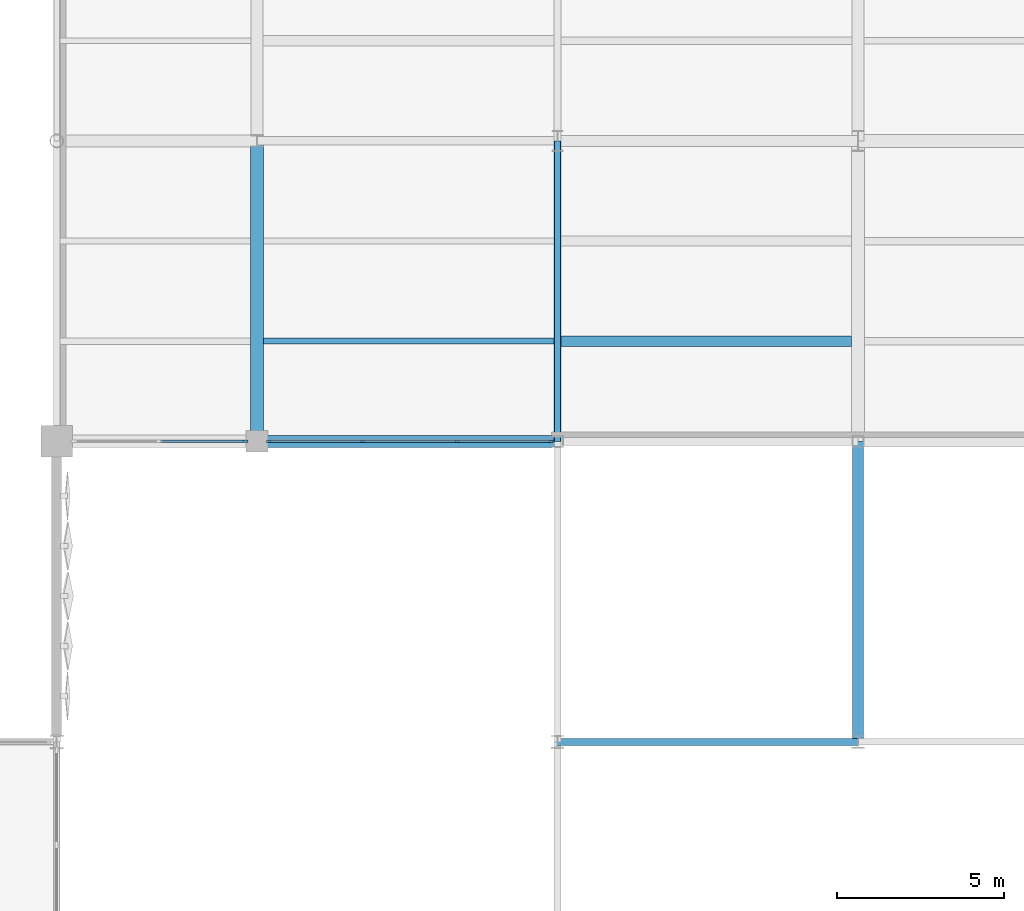
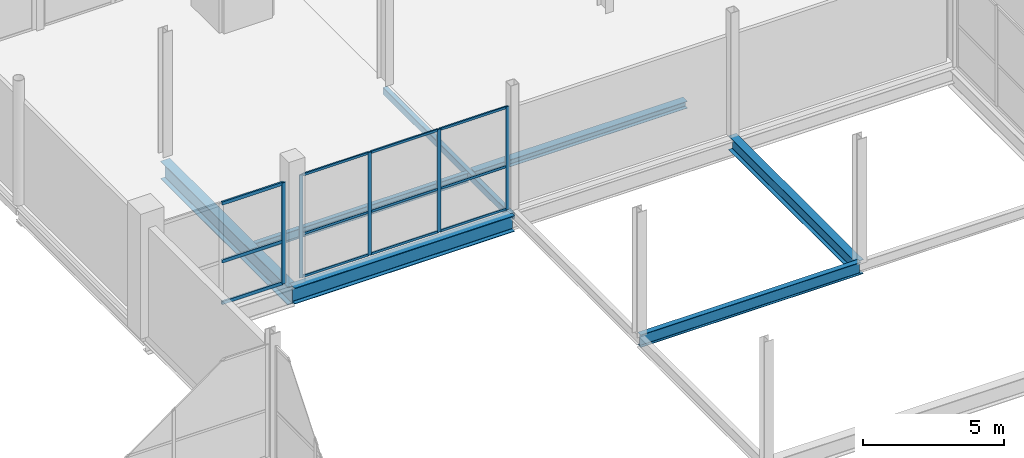
# One storey, part 42 of 119: 17 members, 7 beams, 2 elements without a shape of their own.
"""IFC4 building model written with IfcOpenShell, lengths in metres."""

from ifc_helpers import new_model, si_unit, direction, frame, origin, origin_2d, place, context, subcontext, project, spatial, rectangle, hollow_rectangle, i_section, extrude, material, layer, layer_set, material_profile, profile_set, type_object, element, aggregate, save


model = new_model("IFC4")

# Units and contexts
model_context = context("Model", 3, precision=1e-05, world=origin(), true_north=direction((0.0, 1.0)))
body_context = subcontext(model_context, "Body", "Model", "MODEL_VIEW")
ifc_project = project(units=[si_unit("LENGTHUNIT", "METRE"), si_unit("AREAUNIT", "SQUARE_METRE"), si_unit("VOLUMEUNIT", "CUBIC_METRE"), si_unit("PLANEANGLEUNIT", "RADIAN"), si_unit("MASSUNIT", "GRAM", prefix="KILO")], contexts=[model_context])

# Site, building, storey
site_placement = place(None, origin())
site = spatial("IfcSite", under=ifc_project, at=site_placement, CompositionType="ELEMENT")
building_placement = place(site_placement, origin())
building = spatial("IfcBuilding", under=site, at=building_placement, Name="Qamarlyn Nura Convention Centre", CompositionType="ELEMENT")
storey_placement = place(building_placement, frame((0.0, 0.0, 5.39990234375)))
storey = spatial("IfcBuildingStorey", under=building, at=storey_placement, Name="L01", CompositionType="ELEMENT", Elevation=5.39990234375)

# Beams
ifc_material_1 = material(Name="Steel ASTM A992", Category="steel")
ifc_material_profile_1 = material_profile(ifc_material_1, i_section(OverallWidth=0.323974609375, OverallDepth=0.611083984375, WebThickness=0.0126953125, FlangeThickness=0.01904296875, FilletRadius=0.01611328125, at=origin_2d()), Name="W610X155")
ifc_profile_set_1 = profile_set([ifc_material_profile_1], Name="Steel ASTM A992")
beam_type_1 = type_object("IfcBeamType", Name="BM-GIRD-610", PredefinedType="BEAM", material=ifc_profile_set_1)
beam_1_placement = place(storey_placement, frame((144.0, 18.0, -0.305419921875), z_axis=(0.0, 1.0, 0.0), x_axis=(-1.0, 0.0, 0.0)))
element("IfcBeam", 1, at=beam_1_placement, inside=storey, type_object=beam_type_1, Name="L01 girder 12 C-D", PredefinedType="BEAM", context=body_context, shape_type="SweptSolid", body=[
    extrude(i_section(OverallWidth=0.323974609375, OverallDepth=0.611083984375, WebThickness=0.0126953125, FlangeThickness=0.01904296875, FilletRadius=0.01611328125, at=origin_2d()), origin(), (0.0, 0.0, 1.0), 9.0),
])
ifc_material_profile_2 = material_profile(ifc_material_1, i_section(OverallWidth=0.35498046875, OverallDepth=0.695068359375, WebThickness=0.015380859375, FlangeThickness=0.02490234375, FilletRadius=0.01806640625, at=origin_2d()), Name="W690X217")
ifc_profile_set_2 = profile_set([ifc_material_profile_2], Name="Steel ASTM A992")
beam_type_2 = type_object("IfcBeamType", Name="BM-GIRD-690A", PredefinedType="BEAM", material=ifc_profile_set_2)
beam_2_placement = place(storey_placement, frame((126.0, 27.0, -0.58740234375), z_axis=(1.0, 0.0, 0.0), x_axis=(0.0, 1.0, 0.0)))
element("IfcBeam", 2, at=beam_2_placement, inside=storey, type_object=beam_type_2, Name="L01 girder D 10-11", PredefinedType="BEAM", context=body_context, shape_type="SweptSolid", body=[
    extrude(i_section(OverallWidth=0.35498046875, OverallDepth=0.695068359375, WebThickness=0.015380859375, FlangeThickness=0.02490234375, FilletRadius=0.01806640625, at=origin_2d()), origin(), (0.0, 0.0, 1.0), 9.0),
])
ifc_material_profile_3 = material_profile(ifc_material_1, i_section(OverallWidth=0.381103515625, OverallDepth=0.77294921875, WebThickness=0.0166015625, FlangeThickness=0.027587890625, FilletRadius=0.02001953125, at=origin_2d()), Name="W760X257")
ifc_profile_set_3 = profile_set([ifc_material_profile_3], Name="Steel ASTM A992")
beam_type_3 = type_object("IfcBeamType", Name="BM-GIRD-760", PredefinedType="BEAM", material=ifc_profile_set_3)
beam_3_placement = place(storey_placement, frame((126.0, 27.0, -0.62646484375), z_axis=(0.0, 1.0, 0.0), x_axis=(-1.0, 0.0, 0.0)))
element("IfcBeam", 3, at=beam_3_placement, inside=storey, type_object=beam_type_3, Name="L01 girder 10 D-E", PredefinedType="BEAM", context=body_context, shape_type="SweptSolid", body=[
    extrude(i_section(OverallWidth=0.381103515625, OverallDepth=0.77294921875, WebThickness=0.0166015625, FlangeThickness=0.027587890625, FilletRadius=0.02001953125, at=origin_2d()), origin(), (0.0, 0.0, 1.0), 9.0),
])
ifc_material_profile_4 = material_profile(ifc_material_1, i_section(OverallWidth=0.304931640625, OverallDepth=0.30810546875, WebThickness=0.010009765625, FlangeThickness=0.015380859375, FilletRadius=0.014892578125, at=origin_2d()), Name="W310X97")
ifc_profile_set_4 = profile_set([ifc_material_profile_4], Name="Steel ASTM A992")
beam_type_4 = type_object("IfcBeamType", Name="BM-JOIST-310", PredefinedType="JOIST", material=ifc_profile_set_4)
beam_4_placement = place(storey_placement, frame((135.10009765625, 30.0, -0.3740234375), z_axis=(1.0, 0.0, 0.0), x_axis=(0.0, 1.0, 0.0)))
element("IfcBeam", 4, at=beam_4_placement, inside=storey, type_object=beam_type_4, Name="L01 composite joist 11-12/D+1", PredefinedType="JOIST", context=body_context, shape_type="SweptSolid", body=[
    extrude(i_section(OverallWidth=0.304931640625, OverallDepth=0.30810546875, WebThickness=0.010009765625, FlangeThickness=0.015380859375, FilletRadius=0.014892578125, at=origin_2d()), origin(), (0.0, 0.0, 1.0), 8.70947265625),
])
ifc_material_profile_5 = material_profile(ifc_material_1, i_section(OverallWidth=0.177978515625, OverallDepth=0.406982421875, WebThickness=0.0078125, FlangeThickness=0.0126953125, FilletRadius=0.011962890625, at=origin_2d()), Name="W410X60")
ifc_profile_set_5 = profile_set([ifc_material_profile_5], Name="Steel ASTM A992")
beam_type_5 = type_object("IfcBeamType", Name="BM-JOIST-410", PredefinedType="JOIST", material=ifc_profile_set_5)
beam_5_placement = place(storey_placement, frame((126.1904296875, 30.0, -0.443359375), z_axis=(1.0, 0.0, 0.0), x_axis=(0.0, 1.0, 0.0)))
element("IfcBeam", 5, at=beam_5_placement, inside=storey, type_object=beam_type_5, Name="L01 composite joist 10-11/D+1", PredefinedType="JOIST", context=body_context, shape_type="SweptSolid", body=[
    extrude(i_section(OverallWidth=0.177978515625, OverallDepth=0.406982421875, WebThickness=0.0078125, FlangeThickness=0.0126953125, FilletRadius=0.011962890625, at=origin_2d()), origin(), (0.0, 0.0, 1.0), 8.70947265625),
])
ifc_material_profile_6 = material_profile(ifc_material_1, i_section(OverallWidth=0.2109375, OverallDepth=0.5390625, WebThickness=0.01171875, FlangeThickness=0.018798828125, FilletRadius=0.013916015625, at=origin_2d()), Name="W530X109")
ifc_profile_set_6 = profile_set([ifc_material_profile_6], Name="Steel ASTM A992")
beam_type_6 = type_object("IfcBeamType", Name="BM-SPAN-530", PredefinedType="SPANDREL", material=ifc_profile_set_6)
beam_6_placement = place(storey_placement, frame((135.0, 18.0, -0.269287109375), z_axis=(1.0, 0.0, 0.0), x_axis=(0.0, 1.0, 0.0)))
element("IfcBeam", 6, at=beam_6_placement, inside=storey, type_object=beam_type_6, Name="L01 girder C 11-12", PredefinedType="SPANDREL", context=body_context, shape_type="SweptSolid", body=[
    extrude(i_section(OverallWidth=0.2109375, OverallDepth=0.5390625, WebThickness=0.01171875, FlangeThickness=0.018798828125, FilletRadius=0.013916015625, at=origin_2d()), origin(), (0.0, 0.0, 1.0), 9.0),
])
ifc_material_2 = material(Name="Steel ASTM A500 Grade C", Category="steel")
ifc_material_profile_7 = material_profile(ifc_material_2, hollow_rectangle(XDim=0.199951171875, YDim=0.300048828125, WallThickness=0.012451171875, InnerFilletRadius=0.012451171875, OuterFilletRadius=0.02490234375, at=origin_2d()), Name="HSS300X200X12.5")
ifc_profile_set_7 = profile_set([ifc_material_profile_7], Name="Steel ASTM A500 Grade C")
beam_type_7 = type_object("IfcBeamType", Name="BM-SPAN-HSS", PredefinedType="SPANDREL", material=ifc_profile_set_7)
beam_7_placement = place(storey_placement, frame((135.0, 27.0, -0.389892578125), z_axis=(0.0, 1.0, 0.0), x_axis=(-1.0, 0.0, 0.0)))
element("IfcBeam", 7, at=beam_7_placement, inside=storey, type_object=beam_type_7, Name="L01 girder 11 D-E", PredefinedType="SPANDREL", context=body_context, shape_type="SweptSolid", body=[
    extrude(hollow_rectangle(XDim=0.199951171875, YDim=0.300048828125, WallThickness=0.012451171875, InnerFilletRadius=0.012451171875, OuterFilletRadius=0.02490234375, at=origin_2d()), origin(), (0.0, 0.0, 1.0), 9.0),
])

# Curtain wall, members
ifc_material_3 = material(Name="Double-silver low-E insulated glass", Category="glass")
ifc_layer_1 = layer(ifc_material_3, 0.179931640625, Name="CW-UNIT-53")
ifc_layer_set_1 = layer_set([ifc_layer_1], Name="Double-silver low-E insulated glass")
curtain_wall_type_1 = type_object("IfcCurtainWallType", Name="CW-UNIT-53", PredefinedType="NOTDEFINED", material=ifc_layer_set_1)
curtain_wall_1_placement = place(storey_placement, origin())
curtain_wall_1 = element("IfcCurtainWall", 8, at=curtain_wall_1_placement, inside=storey, type_object=curtain_wall_type_1, Name="L01 unitised curtain wall BRG-S-1", PredefinedType="NOTDEFINED")
ifc_material_4 = material(Name="Champagne-anodised marine aluminium", Category="aluminium")
ifc_material_profile_8 = material_profile(ifc_material_4, rectangle(XDim=0.06005859375, YDim=0.139892578125, at=origin_2d()), Name="ALU MULLION 60x140")
ifc_profile_set_8 = profile_set([ifc_material_profile_8], Name="Champagne-anodised marine aluminium")
member_type_1 = type_object("IfcMemberType", Name="CWM-140", PredefinedType="MULLION", material=ifc_profile_set_8)
member_1_placement = place(storey_placement, frame((134.794921875, 27.0, 0.0), z_axis=(0.0, 0.0, 1.0), x_axis=(0.0, -1.0, 0.0)))
member_1 = element("IfcMember", 9, at=member_1_placement, type_object=member_type_1, Name="CW53 mullion 1", PredefinedType="MULLION", context=body_context, shape_type="SweptSolid", body=[
    extrude(rectangle(XDim=0.06005859375, YDim=0.139892578125, at=origin_2d()), origin(), (0.0, 0.0, 1.0), 4.4501953125),
])
member_2_placement = place(storey_placement, frame((131.99169921875, 27.0, 0.0), z_axis=(0.0, 0.0, 1.0), x_axis=(0.0, -1.0, 0.0)))
member_2 = element("IfcMember", 10, at=member_2_placement, type_object=member_type_1, Name="CW53 mullion 2", PredefinedType="MULLION", context=body_context, shape_type="SweptSolid", body=[
    extrude(rectangle(XDim=0.06005859375, YDim=0.139892578125, at=origin_2d()), origin(), (0.0, 0.0, 1.0), 4.4501953125),
])
member_3_placement = place(storey_placement, frame((129.158447265625, 27.0, 0.0), z_axis=(0.0, 0.0, 1.0), x_axis=(0.0, -1.0, 0.0)))
member_3 = element("IfcMember", 11, at=member_3_placement, type_object=member_type_1, Name="CW53 mullion 3", PredefinedType="MULLION", context=body_context, shape_type="SweptSolid", body=[
    extrude(rectangle(XDim=0.06005859375, YDim=0.139892578125, at=origin_2d()), origin(), (0.0, 0.0, 1.0), 4.4501953125),
])
member_4_placement = place(storey_placement, frame((126.35498046875, 27.0, 0.0), z_axis=(0.0, 0.0, 1.0), x_axis=(0.0, -1.0, 0.0)))
member_4 = element("IfcMember", 12, at=member_4_placement, type_object=member_type_1, Name="CW53 mullion 4", PredefinedType="MULLION", context=body_context, shape_type="SweptSolid", body=[
    extrude(rectangle(XDim=0.06005859375, YDim=0.139892578125, at=origin_2d()), origin(), (0.0, 0.0, 1.0), 4.4501953125),
])

# Curtain wall, member
ifc_layer_2 = layer(ifc_material_3, 0.179931640625, Name="CW-UNIT-54")
ifc_layer_set_2 = layer_set([ifc_layer_2], Name="Double-silver low-E insulated glass")
curtain_wall_type_2 = type_object("IfcCurtainWallType", Name="CW-UNIT-54", PredefinedType="NOTDEFINED", material=ifc_layer_set_2)
curtain_wall_2_placement = place(storey_placement, origin())
curtain_wall_2 = element("IfcCurtainWall", 13, at=curtain_wall_2_placement, inside=storey, type_object=curtain_wall_type_2, Name="L01 unitised curtain wall BRG-S-2", PredefinedType="NOTDEFINED")
ifc_material_profile_9 = material_profile(ifc_material_4, rectangle(XDim=0.070068359375, YDim=0.179931640625, at=origin_2d()), Name="ALU MULLION 70x180")
ifc_profile_set_9 = profile_set([ifc_material_profile_9], Name="Champagne-anodised marine aluminium")
member_type_2 = type_object("IfcMemberType", Name="CWM-180", PredefinedType="MULLION", material=ifc_profile_set_9)
member_5_placement = place(storey_placement, frame((125.639892578125, 27.0, 0.0), z_axis=(0.0, 0.0, 1.0), x_axis=(0.0, -1.0, 0.0)))
member_5 = element("IfcMember", 14, at=member_5_placement, type_object=member_type_2, Name="CW54 mullion 1", PredefinedType="MULLION", context=body_context, shape_type="SweptSolid", body=[
    extrude(rectangle(XDim=0.070068359375, YDim=0.179931640625, at=origin_2d()), origin(), (0.0, 0.0, 1.0), 4.3720703125),
])

# Member
ifc_material_profile_10 = material_profile(ifc_material_4, rectangle(XDim=0.06005859375, YDim=0.10009765625, at=origin_2d()), Name="ALU TRANSOM 60x100")
ifc_profile_set_10 = profile_set([ifc_material_profile_10], Name="Champagne-anodised marine aluminium")
member_type_3 = type_object("IfcMemberType", Name="CWT-100", PredefinedType="USERDEFINED", material=ifc_profile_set_10)
member_6_placement = place(storey_placement, frame((134.764892578125, 27.0, 0.030029296875), z_axis=(-1.0, 0.0, 0.0), x_axis=(0.0, -1.0, 0.0)))
member_6 = element("IfcMember", 15, at=member_6_placement, type_object=member_type_3, Name="CW53 transom 1.1", ObjectType="TRANSOM", PredefinedType="USERDEFINED", context=body_context, shape_type="SweptSolid", body=[
    extrude(rectangle(XDim=0.06005859375, YDim=0.10009765625, at=origin_2d()), origin(), (0.0, 0.0, 1.0), 2.7431640625),
])

member_7_placement = place(storey_placement, frame((134.764892578125, 27.0, 1.869140625), z_axis=(-1.0, 0.0, 0.0), x_axis=(0.0, -1.0, 0.0)))
member_7 = element("IfcMember", 16, at=member_7_placement, type_object=member_type_3, Name="CW53 transom 1.2", ObjectType="TRANSOM", PredefinedType="USERDEFINED", context=body_context, shape_type="SweptSolid", body=[
    extrude(rectangle(XDim=0.06005859375, YDim=0.10009765625, at=origin_2d()), origin(), (0.0, 0.0, 1.0), 2.7431640625),
])

member_8_placement = place(storey_placement, frame((134.764892578125, 27.0, 4.420166015625), z_axis=(-1.0, 0.0, 0.0), x_axis=(0.0, -1.0, 0.0)))
member_8 = element("IfcMember", 17, at=member_8_placement, type_object=member_type_3, Name="CW53 transom 1.3", ObjectType="TRANSOM", PredefinedType="USERDEFINED", context=body_context, shape_type="SweptSolid", body=[
    extrude(rectangle(XDim=0.06005859375, YDim=0.10009765625, at=origin_2d()), origin(), (0.0, 0.0, 1.0), 2.7431640625),
])

member_9_placement = place(storey_placement, frame((131.961669921875, 27.0, 0.030029296875), z_axis=(-1.0, 0.0, 0.0), x_axis=(0.0, -1.0, 0.0)))
member_9 = element("IfcMember", 18, at=member_9_placement, type_object=member_type_3, Name="CW53 transom 2.1", ObjectType="TRANSOM", PredefinedType="USERDEFINED", context=body_context, shape_type="SweptSolid", body=[
    extrude(rectangle(XDim=0.06005859375, YDim=0.10009765625, at=origin_2d()), origin(), (0.0, 0.0, 1.0), 2.7734375),
])

member_10_placement = place(storey_placement, frame((131.961669921875, 27.0, 1.869140625), z_axis=(-1.0, 0.0, 0.0), x_axis=(0.0, -1.0, 0.0)))
member_10 = element("IfcMember", 19, at=member_10_placement, type_object=member_type_3, Name="CW53 transom 2.2", ObjectType="TRANSOM", PredefinedType="USERDEFINED", context=body_context, shape_type="SweptSolid", body=[
    extrude(rectangle(XDim=0.06005859375, YDim=0.10009765625, at=origin_2d()), origin(), (0.0, 0.0, 1.0), 2.7734375),
])

member_11_placement = place(storey_placement, frame((131.961669921875, 27.0, 4.420166015625), z_axis=(-1.0, 0.0, 0.0), x_axis=(0.0, -1.0, 0.0)))
member_11 = element("IfcMember", 20, at=member_11_placement, type_object=member_type_3, Name="CW53 transom 2.3", ObjectType="TRANSOM", PredefinedType="USERDEFINED", context=body_context, shape_type="SweptSolid", body=[
    extrude(rectangle(XDim=0.06005859375, YDim=0.10009765625, at=origin_2d()), origin(), (0.0, 0.0, 1.0), 2.7734375),
])

member_12_placement = place(storey_placement, frame((129.12841796875, 27.0, 0.030029296875), z_axis=(-1.0, 0.0, 0.0), x_axis=(0.0, -1.0, 0.0)))
member_12 = element("IfcMember", 21, at=member_12_placement, type_object=member_type_3, Name="CW53 transom 3.1", ObjectType="TRANSOM", PredefinedType="USERDEFINED", context=body_context, shape_type="SweptSolid", body=[
    extrude(rectangle(XDim=0.06005859375, YDim=0.10009765625, at=origin_2d()), origin(), (0.0, 0.0, 1.0), 2.743408203125),
])

member_13_placement = place(storey_placement, frame((129.12841796875, 27.0, 1.869140625), z_axis=(-1.0, 0.0, 0.0), x_axis=(0.0, -1.0, 0.0)))
member_13 = element("IfcMember", 22, at=member_13_placement, type_object=member_type_3, Name="CW53 transom 3.2", ObjectType="TRANSOM", PredefinedType="USERDEFINED", context=body_context, shape_type="SweptSolid", body=[
    extrude(rectangle(XDim=0.06005859375, YDim=0.10009765625, at=origin_2d()), origin(), (0.0, 0.0, 1.0), 2.743408203125),
])

member_14_placement = place(storey_placement, frame((129.12841796875, 27.0, 4.420166015625), z_axis=(-1.0, 0.0, 0.0), x_axis=(0.0, -1.0, 0.0)))
member_14 = element("IfcMember", 23, at=member_14_placement, type_object=member_type_3, Name="CW53 transom 3.3", ObjectType="TRANSOM", PredefinedType="USERDEFINED", context=body_context, shape_type="SweptSolid", body=[
    extrude(rectangle(XDim=0.06005859375, YDim=0.10009765625, at=origin_2d()), origin(), (0.0, 0.0, 1.0), 2.743408203125),
])

aggregate(curtain_wall_1, [member_1, member_2, member_3, member_4, member_6, member_7, member_8, member_9, member_10, member_11, member_12, member_13, member_14])

ifc_material_profile_11 = material_profile(ifc_material_4, rectangle(XDim=0.070068359375, YDim=0.139892578125, at=origin_2d()), Name="ALU TRANSOM 70x140")
ifc_profile_set_11 = profile_set([ifc_material_profile_11], Name="Champagne-anodised marine aluminium")
member_type_4 = type_object("IfcMemberType", Name="CWT-140", PredefinedType="USERDEFINED", material=ifc_profile_set_11)
member_15_placement = place(storey_placement, frame((125.60498046875, 27.0, 0.03515625), z_axis=(-1.0, 0.0, 0.0), x_axis=(0.0, -1.0, 0.0)))
member_15 = element("IfcMember", 24, at=member_15_placement, type_object=member_type_4, Name="CW54 transom 1.1", ObjectType="TRANSOM", PredefinedType="USERDEFINED", context=body_context, shape_type="SweptSolid", body=[
    extrude(rectangle(XDim=0.070068359375, YDim=0.139892578125, at=origin_2d()), origin(), (0.0, 0.0, 1.0), 2.494873046875),
])

member_16_placement = place(storey_placement, frame((125.60498046875, 27.0, 1.836181640625), z_axis=(-1.0, 0.0, 0.0), x_axis=(0.0, -1.0, 0.0)))
member_16 = element("IfcMember", 25, at=member_16_placement, type_object=member_type_4, Name="CW54 transom 1.2", ObjectType="TRANSOM", PredefinedType="USERDEFINED", context=body_context, shape_type="SweptSolid", body=[
    extrude(rectangle(XDim=0.070068359375, YDim=0.139892578125, at=origin_2d()), origin(), (0.0, 0.0, 1.0), 2.494873046875),
])

member_17_placement = place(storey_placement, frame((125.60498046875, 27.0, 4.337158203125), z_axis=(-1.0, 0.0, 0.0), x_axis=(0.0, -1.0, 0.0)))
member_17 = element("IfcMember", 26, at=member_17_placement, type_object=member_type_4, Name="CW54 transom 1.3", ObjectType="TRANSOM", PredefinedType="USERDEFINED", context=body_context, shape_type="SweptSolid", body=[
    extrude(rectangle(XDim=0.070068359375, YDim=0.139892578125, at=origin_2d()), origin(), (0.0, 0.0, 1.0), 2.494873046875),
])

aggregate(curtain_wall_2, [member_5, member_15, member_16, member_17])

save(model, "model.ifc")
